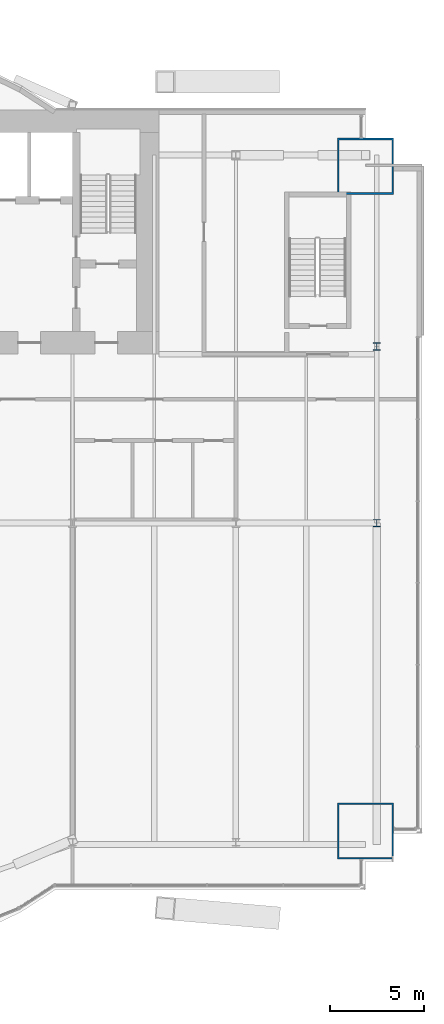
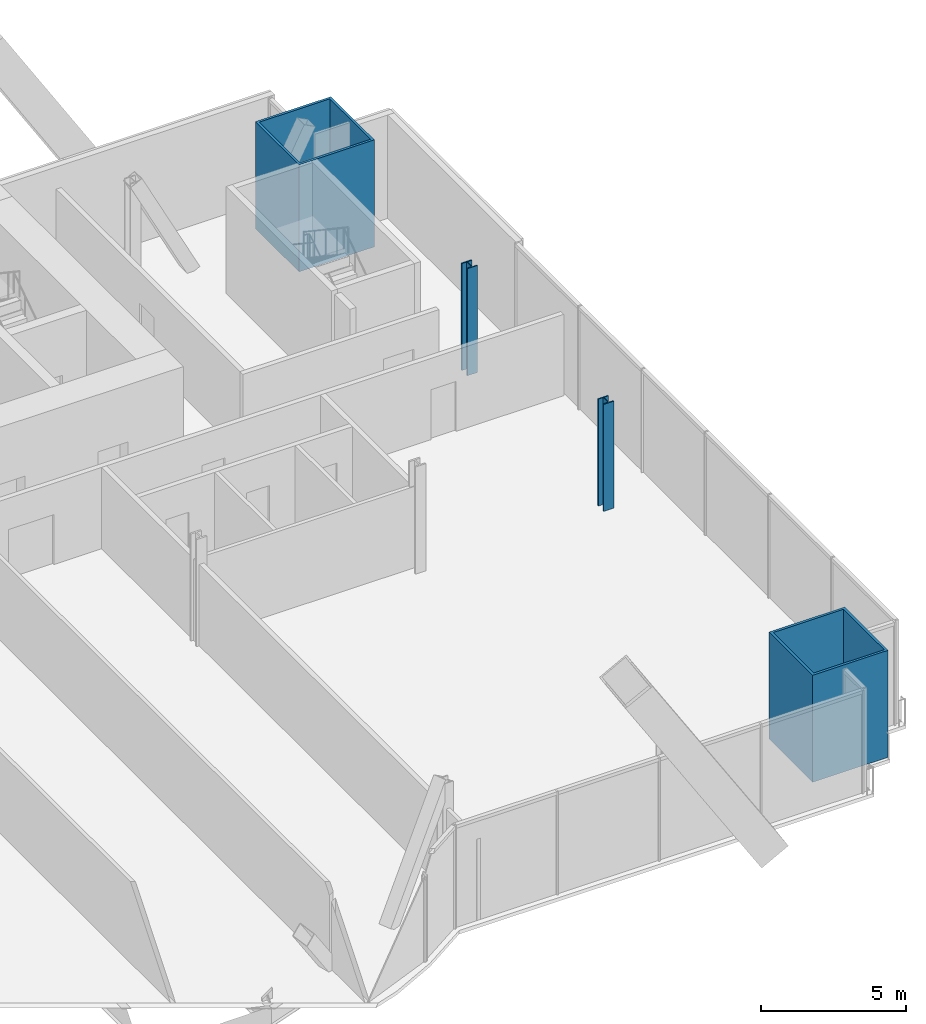
# One storey, part 3 of 23: 4 columns.
"""IFC4 building model written with IfcOpenShell, lengths in metres."""

from ifc_helpers import new_model, si_unit, direction, frame, origin, origin_2d, place, context, subcontext, project, spatial, hollow_rectangle, i_section, extrude, material, material_profile, profile_set, type_object, element, save


model = new_model("IFC4")

# Units and contexts
model_context = context("Model", 3, precision=1e-05, world=origin(), true_north=direction((0.0, 1.0)))
body_context = subcontext(model_context, "Body", "Model", "MODEL_VIEW")
ifc_project = project(units=[si_unit("LENGTHUNIT", "METRE"), si_unit("AREAUNIT", "SQUARE_METRE"), si_unit("VOLUMEUNIT", "CUBIC_METRE"), si_unit("PLANEANGLEUNIT", "RADIAN"), si_unit("MASSUNIT", "GRAM", prefix="KILO")], contexts=[model_context])

# Site, building, storey
site_placement = place(None, origin())
site = spatial("IfcSite", under=ifc_project, at=site_placement, CompositionType="ELEMENT")
building_placement = place(site_placement, origin())
building = spatial("IfcBuilding", under=site, at=building_placement, Name="Bicima Exchange Tower", CompositionType="ELEMENT")
storey_placement = place(building_placement, frame((0.0, 0.0, 44.0)))
storey = spatial("IfcBuildingStorey", under=building, at=storey_placement, Name="L08", CompositionType="ELEMENT", Elevation=44.0)

# Columns
ifc_material_1 = material(Name="Steel ASTM A572 Gr 50", Category="steel")
ifc_material_profile_1 = material_profile(ifc_material_1, hollow_rectangle(XDim=3.0, YDim=3.0, WallThickness=0.10009765625, at=origin_2d()))
ifc_profile_set_1 = profile_set([ifc_material_profile_1], Name="Steel ASTM A572 Gr 50")
column_type_1 = type_object("IfcColumnType", Name="Mega column BOX 3000x3000x100", PredefinedType="COLUMN", material=ifc_profile_set_1)
for number, where, z_axis, x_axis, name in (
    (1, (33.0, -38.389892578125, 0.0), (0.0, 0.0, 1.0), (1.0, 0.0, 0.0), "Mega column mega+33.0f"),
    (2, (33.0, -3.0, 0.0), (0.0, 0.0, 1.0), (1.0, 0.0, 0.0), "Mega column mega+33.0r"),
):
    element("IfcColumn", number, at=place(storey_placement, frame(where, z_axis=z_axis, x_axis=x_axis)), inside=storey, type_object=column_type_1, Name=name, PredefinedType="COLUMN", context=body_context, shape_type="SweptSolid", body=[
        extrude(hollow_rectangle(XDim=3.0, YDim=3.0, WallThickness=0.10009765625, at=origin_2d()), origin(), (0.0, 0.0, 1.0), 4.5),
    ])
ifc_material_2 = material(Name="Steel ASTM A992 Gr 50", Category="steel")
ifc_material_profile_2 = material_profile(ifc_material_2, i_section(OverallWidth=0.406494140625, OverallDepth=0.41650390625, WebThickness=0.030029296875, FlangeThickness=0.048095703125, at=origin_2d()))
ifc_profile_set_2 = profile_set([ifc_material_profile_2], Name="Steel ASTM A992 Gr 50")
column_type_2 = type_object("IfcColumnType", Name="Perimeter column W14x257", PredefinedType="COLUMN", material=ifc_profile_set_2)
for number, where, z_axis, x_axis, name in (
    (3, (33.60009765625, -12.60009765625, 0.0), (0.0, 0.0, 1.0), (1.0, 0.0, 0.0), "End column end+33.6e"),
    (4, (33.60009765625, -22.0, 0.0), (0.0, 0.0, 1.0), (1.0, 0.0, 0.0), "End column end+33.6e"),
):
    element("IfcColumn", number, at=place(storey_placement, frame(where, z_axis=z_axis, x_axis=x_axis)), inside=storey, type_object=column_type_2, Name=name, PredefinedType="COLUMN", context=body_context, shape_type="SweptSolid", body=[
        extrude(i_section(OverallWidth=0.406494140625, OverallDepth=0.41650390625, WebThickness=0.030029296875, FlangeThickness=0.048095703125, at=origin_2d()), origin(), (0.0, 0.0, 1.0), 4.5),
    ])

save(model, "model.ifc")
